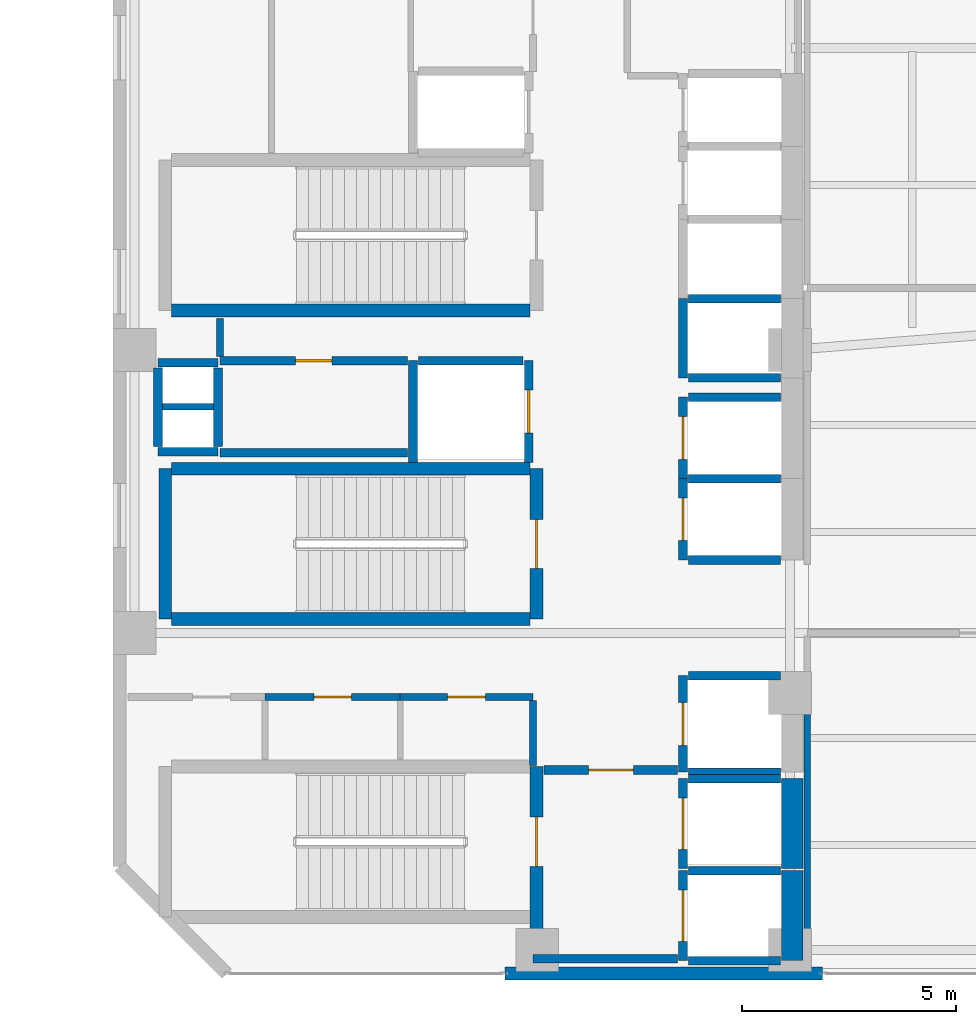
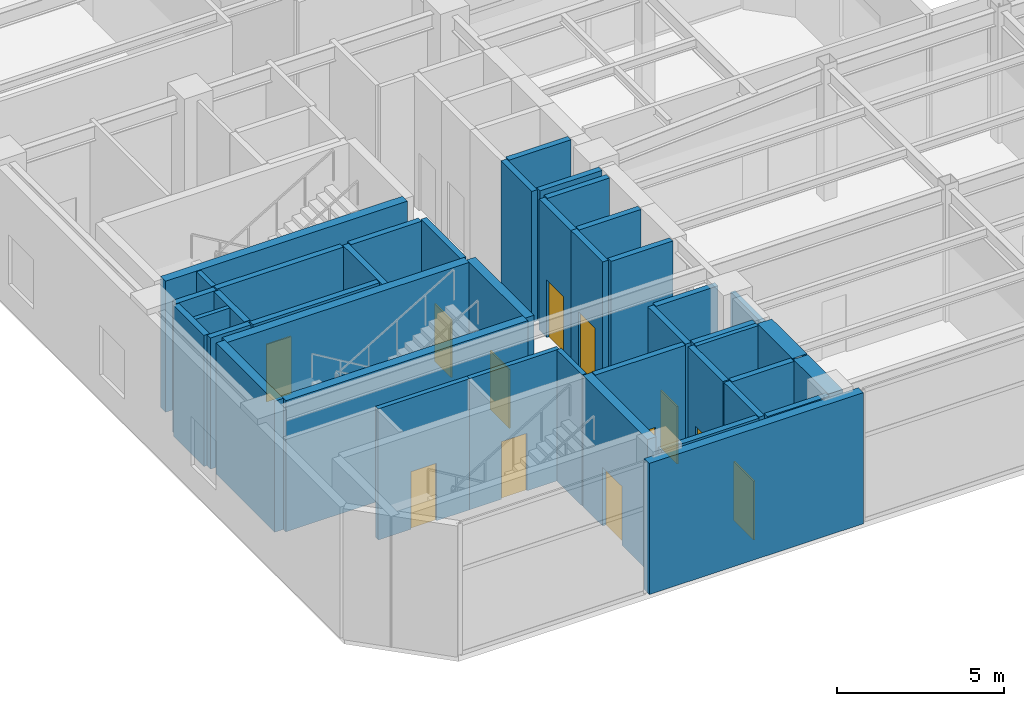
# One storey, part 10 of 16: 42 walls, 12 doors, 12 openings.
"""IFC4 building model written with IfcOpenShell, lengths in metres."""

from ifc_helpers import new_model, si_unit, direction, frame, frame_2d, origin, place, context, subcontext, project, spatial, rectangle, extrude, material, layer, layer_set, type_object, element, fill, save


model = new_model("IFC4")

# Units and contexts
model_context = context("Model", 3, precision=1e-05, world=origin(), true_north=direction((0.0, 1.0)))
body_context = subcontext(model_context, "Body", "Model", "MODEL_VIEW")
ifc_project = project(units=[si_unit("LENGTHUNIT", "METRE"), si_unit("AREAUNIT", "SQUARE_METRE"), si_unit("VOLUMEUNIT", "CUBIC_METRE"), si_unit("PLANEANGLEUNIT", "RADIAN"), si_unit("MASSUNIT", "GRAM", prefix="KILO")], contexts=[model_context])

# Site, building, storey
site_placement = place(None, origin())
site = spatial("IfcSite", under=ifc_project, at=site_placement, CompositionType="ELEMENT")
building_placement = place(site_placement, origin())
building = spatial("IfcBuilding", under=site, at=building_placement, Name="Mawjaban Terraces University", CompositionType="ELEMENT")
storey_placement = place(building_placement, frame((0.0, 0.0, 170.800048828125)))
storey = spatial("IfcBuildingStorey", under=building, at=storey_placement, Name="L41", CompositionType="ELEMENT", Elevation=170.800048828125)

# Walls
ifc_material_1 = material(Name="Concrete C60/75", Category="concrete")
ifc_layer_1 = layer(ifc_material_1, 0.5)
ifc_layer_set_1 = layer_set([ifc_layer_1], Name="Concrete C60/75")
wall_type_1 = type_object("IfcWallType", Name="CoreShearWall_500", PredefinedType="SHEAR", material=ifc_layer_set_1)
wall_1_placement = place(storey_placement, frame((37.699951171875, 0.300048828125, 0.0), z_axis=(0.0, 0.0, 1.0), x_axis=(0.0, 1.0, 0.0)))
element("IfcWall", 1, at=wall_1_placement, inside=storey, type_object=wall_type_1, Name="L41 Lift FL-1 Hoistway Wall East", PredefinedType="SHEAR", context=body_context, shape_type="SweptSolid", body=[
    extrude(rectangle(XDim=2.099853515625, YDim=0.5, at=frame_2d((1.0498046875, 0.0))), origin(), (0.0, 0.0, 1.0), 4.7900390625),
])
wall_2_placement = place(storey_placement, frame((37.699951171875, 2.449951171875, 0.0), z_axis=(0.0, 0.0, 1.0), x_axis=(0.0, 1.0, 0.0)))
element("IfcWall", 2, at=wall_2_placement, inside=storey, type_object=wall_type_1, Name="L41 Lift FL-2 Hoistway Wall East", PredefinedType="SHEAR", context=body_context, shape_type="SweptSolid", body=[
    extrude(rectangle(XDim=2.10009765625, YDim=0.5, at=frame_2d((1.050048828125, 0.0))), origin(), (0.0, 0.0, 1.0), 4.7900390625),
])

# Wall, opening, door
ifc_material_2 = material(Name="Fire-rated gypsum board on steel stud", Category="steel")
ifc_layer_2 = layer(ifc_material_2, 0.159912109375)
ifc_layer_set_2 = layer_set([ifc_layer_2], Name="Fire-rated gypsum board on steel stud")
wall_type_2 = type_object("IfcWallType", Name="CorridorPartition_160", PredefinedType="PARTITIONING", material=ifc_layer_set_2)
wall_3_placement = place(storey_placement, frame((25.39990234375, 6.449951171875, 0.0), z_axis=(0.0, 0.0, 1.0), x_axis=(1.0, 0.0, 0.0)))
wall_3 = element("IfcWall", 3, at=wall_3_placement, inside=storey, type_object=wall_type_2, Name="L41 Core Washroom Lobby Partition 4", PredefinedType="PARTITIONING", context=body_context, shape_type="SweptSolid", body=[
    extrude(rectangle(XDim=3.150146484375, YDim=0.159912109375, at=frame_2d((1.5751953125, 0.0))), origin(), (0.0, 0.0, 1.0), 4.7900390625),
])
opening_1_placement = place(wall_3_placement, frame((1.135009765625, 0.0, 0.0)))
opening_1 = element("IfcOpeningElement", 4, at=opening_1_placement, cuts=wall_3, Name="Opening ID-088", PredefinedType="OPENING", context=body_context, shape_type="SweptSolid", body=[
    extrude(rectangle(XDim=0.8798828125, YDim=2.10009765625, at=frame_2d((0.43994140625, 1.050048828125))), frame((0.0, 0.08984375, 0.0), z_axis=(0.0, -1.0, 0.0), x_axis=(1.0, 0.0, 0.0)), (0.0, 0.0, 1.0), 0.179931640625),
])
ifc_material_3 = material(Name="Powder-coated steel frame and solid acoustic timber leaf", Category="steel")
door_type_1 = type_object("IfcDoorType", Name="ToiletDoor_880x2100", OperationType="NOTDEFINED", PredefinedType="DOOR", material=ifc_material_3)
door_1_placement = place(opening_1_placement, origin())
door_1 = element("IfcDoor", 5, at=door_1_placement, inside=storey, type_object=door_type_1, Name="L41 Female Toilet Door", OperationType="SINGLE_SWING_LEFT", OverallHeight=2.10009765625, OverallWidth=0.8798828125, PredefinedType="DOOR", context=body_context, shape_type="SweptSolid", body=[
    extrude(rectangle(XDim=0.8798828125, YDim=2.10009765625, at=frame_2d((0.43994140625, 1.050048828125))), frame((0.0, 0.02490234375, 0.0), z_axis=(0.0, -1.0, 0.0), x_axis=(1.0, 0.0, 0.0)), (0.0, 0.0, 1.0), 0.050048828125),
])
fill(opening_1, door_1)

wall_4_placement = place(storey_placement, frame((28.550048828125, 6.449951171875, 0.0), z_axis=(0.0, 0.0, 1.0), x_axis=(1.0, 0.0, 0.0)))
wall_4 = element("IfcWall", 6, at=wall_4_placement, inside=storey, type_object=wall_type_2, Name="L41 Core Washroom Lobby Partition 6", PredefinedType="PARTITIONING", context=body_context, shape_type="SweptSolid", body=[
    extrude(rectangle(XDim=3.099853515625, YDim=0.159912109375, at=frame_2d((1.5498046875, 0.0))), origin(), (0.0, 0.0, 1.0), 4.7900390625),
])
opening_2_placement = place(wall_4_placement, frame((1.110107421875, 0.0, 0.0)))
opening_2 = element("IfcOpeningElement", 7, at=opening_2_placement, cuts=wall_4, Name="Opening ID-088", PredefinedType="OPENING", context=body_context, shape_type="SweptSolid", body=[
    extrude(rectangle(XDim=0.8798828125, YDim=2.10009765625, at=frame_2d((0.43994140625, 1.050048828125))), frame((0.0, 0.08984375, 0.0), z_axis=(0.0, -1.0, 0.0), x_axis=(1.0, 0.0, 0.0)), (0.0, 0.0, 1.0), 0.179931640625),
])
door_2_placement = place(opening_2_placement, origin())
door_2 = element("IfcDoor", 8, at=door_2_placement, inside=storey, type_object=door_type_1, Name="L41 Accessible Toilet Door", OperationType="SINGLE_SWING_RIGHT", OverallHeight=2.10009765625, OverallWidth=0.8798828125, PredefinedType="DOOR", context=body_context, shape_type="SweptSolid", body=[
    extrude(rectangle(XDim=0.8798828125, YDim=2.10009765625, at=frame_2d((0.43994140625, 1.050048828125))), frame((0.0, 0.02490234375, 0.0), z_axis=(0.0, -1.0, 0.0), x_axis=(1.0, 0.0, 0.0)), (0.0, 0.0, 1.0), 0.050048828125),
])
fill(opening_2, door_2)

# Walls
wall_5_placement = place(storey_placement, frame((24.35009765625, 15.2900390625, 0.0), z_axis=(0.0, 0.0, 1.0), x_axis=(0.0, -1.0, 0.0)))
element("IfcWall", 9, at=wall_5_placement, inside=storey, type_object=wall_type_2, Name="L41 Core Riser Access Passage Partition 19", PredefinedType="PARTITIONING", context=body_context, shape_type="SweptSolid", body=[
    extrude(rectangle(XDim=0.89501953125, YDim=0.159912109375, at=frame_2d((0.447509765625, 0.0))), origin(), (0.0, 0.0, 1.0), 4.7900390625),
])
wall_6_placement = place(storey_placement, frame((31.64990234375, 4.860107421875, 0.0), z_axis=(0.0, 0.0, 1.0), x_axis=(0.0, 1.0, 0.0)))
element("IfcWall", 10, at=wall_6_placement, inside=storey, type_object=wall_type_2, Name="L41 Accessible Toilet Partition 24", PredefinedType="PARTITIONING", context=body_context, shape_type="SweptSolid", body=[
    extrude(rectangle(XDim=1.514892578125, YDim=0.159912109375, at=frame_2d((0.75732421875, 0.0))), origin(), (0.0, 0.0, 1.0), 4.7900390625),
])
wall_7_placement = place(storey_placement, frame((38.050048828125, 7.050048828125, 0.0), z_axis=(0.0, 0.0, 1.0), x_axis=(0.0, -1.0, 0.0)))
element("IfcWall", 11, at=wall_7_placement, inside=storey, type_object=wall_type_2, Name="L41 Sky Lobby Espresso and Tea Pantry Partition 32", PredefinedType="PARTITIONING", context=body_context, shape_type="SweptSolid", body=[
    extrude(rectangle(XDim=6.905029296875, YDim=0.159912109375, at=frame_2d((3.45263671875, 0.0))), origin(), (0.0, 0.0, 1.0), 4.245849609375),
])
ifc_material_4 = material(Name="Insulated terracotta rainscreen on concrete backup C40/50", Category="masonry")
ifc_layer_3 = layer(ifc_material_4, 0.300048828125)
ifc_layer_set_3 = layer_set([ifc_layer_3], Name="Insulated terracotta rainscreen on concrete backup C40/50")
wall_type_3 = type_object("IfcWallType", Name="ExtTerracottaWall_300", PredefinedType="SOLIDWALL", material=ifc_layer_set_3)
wall_8_placement = place(storey_placement, frame((31.0, 0.0, 0.0), z_axis=(0.0, 0.0, 1.0), x_axis=(1.0, 0.0, 0.0)))
element("IfcWall", 12, at=wall_8_placement, inside=storey, type_object=wall_type_3, Name="L41 Exterior Terracotta Pier Wall 1.1", PredefinedType="SOLIDWALL", context=body_context, shape_type="SweptSolid", body=[
    extrude(rectangle(XDim=7.39990234375, YDim=0.300048828125, at=frame_2d((3.699951171875, 0.0))), origin(), (0.0, 0.0, 1.0), 4.7900390625),
])

# Wall, opening, door
ifc_material_5 = material(Name="Concrete C40/50", Category="concrete")
ifc_layer_4 = layer(ifc_material_5, 0.199951171875)
ifc_layer_set_4 = layer_set([ifc_layer_4], Name="Concrete C40/50")
wall_type_4 = type_object("IfcWallType", Name="FireLobbyWall_200", PredefinedType="SOLIDWALL", material=ifc_layer_set_4)
wall_9_placement = place(storey_placement, frame((35.14990234375, 2.39990234375, 0.0), z_axis=(0.0, 0.0, 1.0), x_axis=(0.0, -1.0, 0.0)))
wall_9 = element("IfcWall", 13, at=wall_9_placement, inside=storey, type_object=wall_type_4, Name="L41 Lift FL-1 Hoistway Wall West", PredefinedType="SOLIDWALL", context=body_context, shape_type="SweptSolid", body=[
    extrude(rectangle(XDim=2.099853515625, YDim=0.199951171875, at=frame_2d((1.0498046875, 0.0))), origin(), (0.0, 0.0, 1.0), 4.7900390625),
])
opening_3_placement = place(wall_9_placement, frame((0.449951171875, 0.0, 0.0)))
opening_3 = element("IfcOpeningElement", 14, at=opening_3_placement, cuts=wall_9, Name="Opening LD-FL-1", PredefinedType="OPENING", context=body_context, shape_type="SweptSolid", body=[
    extrude(rectangle(XDim=1.199951171875, YDim=2.14990234375, at=frame_2d((0.60009765625, 1.074951171875))), frame((0.0, 0.10986328125, 0.0), z_axis=(0.0, -1.0, 0.0), x_axis=(1.0, 0.0, 0.0)), (0.0, 0.0, 1.0), 0.219970703125),
])
ifc_material_6 = material(Name="Powder-coated steel frame and fire-rated steel-faced leaf", Category="steel")
door_type_2 = type_object("IfcDoorType", Name="LiftLandingFSAE_1200x2150", OperationType="NOTDEFINED", PredefinedType="DOOR", material=ifc_material_6)
door_3_placement = place(opening_3_placement, origin())
door_3 = element("IfcDoor", 15, at=door_3_placement, inside=storey, type_object=door_type_2, Name="L41 Lift FL-1 Sliding Landing Door", OperationType="DOUBLE_DOOR_SLIDING", OverallHeight=2.14990234375, OverallWidth=1.199951171875, PredefinedType="DOOR", context=body_context, shape_type="SweptSolid", body=[
    extrude(rectangle(XDim=1.199951171875, YDim=2.14990234375, at=frame_2d((0.60009765625, 1.074951171875))), frame((0.0, 0.02490234375, 0.0), z_axis=(0.0, -1.0, 0.0), x_axis=(1.0, 0.0, 0.0)), (0.0, 0.0, 1.0), 0.050048828125),
])
fill(opening_3, door_3)

# Walls
for number, where, z_axis, x_axis, name in (
    (16, (35.280029296875, 0.300048828125, 0.0), (0.0, 0.0, 1.0), (1.0, 0.0, 0.0), "L41 Lift FL-1 Hoistway Wall South"),
    (17, (37.419921875, 2.39990234375, 0.0), (0.0, 0.0, 1.0), (-1.0, 0.0, 0.0), "L41 Lift FL-1 Hoistway Wall North"),
):
    element("IfcWall", number, at=place(storey_placement, frame(where, z_axis=z_axis, x_axis=x_axis)), inside=storey, type_object=wall_type_4, Name=name, PredefinedType="SOLIDWALL", context=body_context, shape_type="SweptSolid", body=[
        extrude(rectangle(XDim=2.139892578125, YDim=0.199951171875, at=frame_2d((1.06982421875, 0.0))), origin(), (0.0, 0.0, 1.0), 4.7900390625),
    ])

# Wall, opening, door
wall_10_placement = place(storey_placement, frame((35.14990234375, 4.550048828125, 0.0), z_axis=(0.0, 0.0, 1.0), x_axis=(0.0, -1.0, 0.0)))
wall_10 = element("IfcWall", 18, at=wall_10_placement, inside=storey, type_object=wall_type_4, Name="L41 Lift FL-2 Hoistway Wall West", PredefinedType="SOLIDWALL", context=body_context, shape_type="SweptSolid", body=[
    extrude(rectangle(XDim=2.10009765625, YDim=0.199951171875, at=frame_2d((1.050048828125, 0.0))), origin(), (0.0, 0.0, 1.0), 4.7900390625),
])
opening_4_placement = place(wall_10_placement, frame((0.449951171875, 0.0, 0.0)))
opening_4 = element("IfcOpeningElement", 19, at=opening_4_placement, cuts=wall_10, Name="Opening LD-FL-2", PredefinedType="OPENING", context=body_context, shape_type="SweptSolid", body=[
    extrude(rectangle(XDim=1.199951171875, YDim=2.14990234375, at=frame_2d((0.60009765625, 1.074951171875))), frame((0.0, 0.10986328125, 0.0), z_axis=(0.0, -1.0, 0.0), x_axis=(1.0, 0.0, 0.0)), (0.0, 0.0, 1.0), 0.219970703125),
])
door_4_placement = place(opening_4_placement, origin())
door_4 = element("IfcDoor", 20, at=door_4_placement, inside=storey, type_object=door_type_2, Name="L41 Lift FL-2 Sliding Landing Door", OperationType="DOUBLE_DOOR_SLIDING", OverallHeight=2.14990234375, OverallWidth=1.199951171875, PredefinedType="DOOR", context=body_context, shape_type="SweptSolid", body=[
    extrude(rectangle(XDim=1.199951171875, YDim=2.14990234375, at=frame_2d((0.60009765625, 1.074951171875))), frame((0.0, 0.02490234375, 0.0), z_axis=(0.0, -1.0, 0.0), x_axis=(1.0, 0.0, 0.0)), (0.0, 0.0, 1.0), 0.050048828125),
])
fill(opening_4, door_4)

# Wall
wall_11_placement = place(storey_placement, frame((37.419921875, 4.550048828125, 0.0), z_axis=(0.0, 0.0, 1.0), x_axis=(-1.0, 0.0, 0.0)))
element("IfcWall", 21, at=wall_11_placement, inside=storey, type_object=wall_type_4, Name="L41 Lift FL-2 Hoistway Wall North", PredefinedType="SOLIDWALL", context=body_context, shape_type="SweptSolid", body=[
    extrude(rectangle(XDim=2.139892578125, YDim=0.199951171875, at=frame_2d((1.06982421875, 0.0))), origin(), (0.0, 0.0, 1.0), 4.7900390625),
])

# Wall, opening, door
wall_12_placement = place(storey_placement, frame((35.14990234375, 6.949951171875, 0.0), z_axis=(0.0, 0.0, 1.0), x_axis=(0.0, -1.0, 0.0)))
wall_12 = element("IfcWall", 22, at=wall_12_placement, inside=storey, type_object=wall_type_4, Name="L41 Lift SL-1 Hoistway Wall West", PredefinedType="SOLIDWALL", context=body_context, shape_type="SweptSolid", body=[
    extrude(rectangle(XDim=2.25, YDim=0.199951171875, at=frame_2d((1.125, 0.0))), origin(), (0.0, 0.0, 1.0), 4.7900390625),
])
opening_5_placement = place(wall_12_placement, frame((0.625, 0.0, 0.0)))
opening_5 = element("IfcOpeningElement", 23, at=opening_5_placement, cuts=wall_12, Name="Opening LD-SL-1", PredefinedType="OPENING", context=body_context, shape_type="SweptSolid", body=[
    extrude(rectangle(XDim=1.0, YDim=2.10009765625, at=frame_2d((0.5, 1.050048828125))), frame((0.0, 0.10986328125, 0.0), z_axis=(0.0, -1.0, 0.0), x_axis=(1.0, 0.0, 0.0)), (0.0, 0.0, 1.0), 0.219970703125),
])
door_type_3 = type_object("IfcDoorType", Name="LiftLandingSliding_1000x2100", OperationType="NOTDEFINED", PredefinedType="DOOR", material=ifc_material_6)
door_5_placement = place(opening_5_placement, origin())
door_5 = element("IfcDoor", 24, at=door_5_placement, inside=storey, type_object=door_type_3, Name="L41 Lift SL-1 Sliding Landing Door", OperationType="DOUBLE_DOOR_SLIDING", OverallHeight=2.10009765625, OverallWidth=1.0, PredefinedType="DOOR", context=body_context, shape_type="SweptSolid", body=[
    extrude(rectangle(XDim=1.0, YDim=2.10009765625, at=frame_2d((0.5, 1.050048828125))), frame((0.0, 0.02490234375, 0.0), z_axis=(0.0, -1.0, 0.0), x_axis=(1.0, 0.0, 0.0)), (0.0, 0.0, 1.0), 0.050048828125),
])
fill(opening_5, door_5)

# Walls
for number, where, z_axis, x_axis, name in (
    (25, (35.280029296875, 4.699951171875, 0.0), (0.0, 0.0, 1.0), (1.0, 0.0, 0.0), "L41 Lift SL-1 Hoistway Wall South"),
    (26, (37.419921875, 6.949951171875, 0.0), (0.0, 0.0, 1.0), (-1.0, 0.0, 0.0), "L41 Lift SL-1 Hoistway Wall North"),
):
    element("IfcWall", number, at=place(storey_placement, frame(where, z_axis=z_axis, x_axis=x_axis)), inside=storey, type_object=wall_type_4, Name=name, PredefinedType="SOLIDWALL", context=body_context, shape_type="SweptSolid", body=[
        extrude(rectangle(XDim=2.139892578125, YDim=0.199951171875, at=frame_2d((1.06982421875, 0.0))), origin(), (0.0, 0.0, 1.0), 4.7900390625),
    ])

# Wall, opening, door
wall_13_placement = place(storey_placement, frame((35.14990234375, 11.550048828125, 0.0), z_axis=(0.0, 0.0, 1.0), x_axis=(0.0, -1.0, 0.0)))
wall_13 = element("IfcWall", 27, at=wall_13_placement, inside=storey, type_object=wall_type_4, Name="L41 Lift PL-H1 Hoistway Wall West", PredefinedType="SOLIDWALL", context=body_context, shape_type="SweptSolid", body=[
    extrude(rectangle(XDim=1.900146484375, YDim=0.199951171875, at=frame_2d((0.9501953125, 0.0))), origin(), (0.0, 0.0, 1.0), 4.7900390625),
])
opening_6_placement = place(wall_13_placement, frame((0.449951171875, 0.0, 0.0)))
opening_6 = element("IfcOpeningElement", 28, at=opening_6_placement, cuts=wall_13, Name="Opening LD-PL-H1", PredefinedType="OPENING", context=body_context, shape_type="SweptSolid", body=[
    extrude(rectangle(XDim=1.0, YDim=2.10009765625, at=frame_2d((0.5, 1.050048828125))), frame((0.0, 0.10986328125, 0.0), z_axis=(0.0, -1.0, 0.0), x_axis=(1.0, 0.0, 0.0)), (0.0, 0.0, 1.0), 0.219970703125),
])
door_6_placement = place(opening_6_placement, origin())
door_6 = element("IfcDoor", 29, at=door_6_placement, inside=storey, type_object=door_type_3, Name="L41 Lift PL-H1 Sliding Landing Door", OperationType="DOUBLE_DOOR_SLIDING", OverallHeight=2.10009765625, OverallWidth=1.0, PredefinedType="DOOR", context=body_context, shape_type="SweptSolid", body=[
    extrude(rectangle(XDim=1.0, YDim=2.10009765625, at=frame_2d((0.5, 1.050048828125))), frame((0.0, 0.02490234375, 0.0), z_axis=(0.0, -1.0, 0.0), x_axis=(1.0, 0.0, 0.0)), (0.0, 0.0, 1.0), 0.050048828125),
])
fill(opening_6, door_6)

# Walls
for number, where, z_axis, x_axis, name in (
    (30, (35.280029296875, 9.64990234375, 0.0), (0.0, 0.0, 1.0), (1.0, 0.0, 0.0), "L41 Lift PL-H1 Hoistway Wall South"),
    (31, (37.419921875, 11.550048828125, 0.0), (0.0, 0.0, 1.0), (-1.0, 0.0, 0.0), "L41 Lift PL-H1 Hoistway Wall North"),
):
    element("IfcWall", number, at=place(storey_placement, frame(where, z_axis=z_axis, x_axis=x_axis)), inside=storey, type_object=wall_type_4, Name=name, PredefinedType="SOLIDWALL", context=body_context, shape_type="SweptSolid", body=[
        extrude(rectangle(XDim=2.139892578125, YDim=0.199951171875, at=frame_2d((1.06982421875, 0.0))), origin(), (0.0, 0.0, 1.0), 4.7900390625),
    ])

# Wall, opening, door
wall_14_placement = place(storey_placement, frame((35.14990234375, 13.449951171875, 0.0), z_axis=(0.0, 0.0, 1.0), x_axis=(0.0, -1.0, 0.0)))
wall_14 = element("IfcWall", 32, at=wall_14_placement, inside=storey, type_object=wall_type_4, Name="L41 Lift PL-H2 Hoistway Wall West", PredefinedType="SOLIDWALL", context=body_context, shape_type="SweptSolid", body=[
    extrude(rectangle(XDim=1.89990234375, YDim=0.199951171875, at=frame_2d((0.949951171875, 0.0))), origin(), (0.0, 0.0, 1.0), 4.7900390625),
])
opening_7_placement = place(wall_14_placement, frame((0.449951171875, 0.0, 0.0)))
opening_7 = element("IfcOpeningElement", 33, at=opening_7_placement, cuts=wall_14, Name="Opening LD-PL-H2", PredefinedType="OPENING", context=body_context, shape_type="SweptSolid", body=[
    extrude(rectangle(XDim=1.0, YDim=2.10009765625, at=frame_2d((0.5, 1.050048828125))), frame((0.0, 0.10986328125, 0.0), z_axis=(0.0, -1.0, 0.0), x_axis=(1.0, 0.0, 0.0)), (0.0, 0.0, 1.0), 0.219970703125),
])
door_7_placement = place(opening_7_placement, origin())
door_7 = element("IfcDoor", 34, at=door_7_placement, inside=storey, type_object=door_type_3, Name="L41 Lift PL-H2 Sliding Landing Door", OperationType="DOUBLE_DOOR_SLIDING", OverallHeight=2.10009765625, OverallWidth=1.0, PredefinedType="DOOR", context=body_context, shape_type="SweptSolid", body=[
    extrude(rectangle(XDim=1.0, YDim=2.10009765625, at=frame_2d((0.5, 1.050048828125))), frame((0.0, 0.02490234375, 0.0), z_axis=(0.0, -1.0, 0.0), x_axis=(1.0, 0.0, 0.0)), (0.0, 0.0, 1.0), 0.050048828125),
])
fill(opening_7, door_7)

# Walls
wall_15_placement = place(storey_placement, frame((37.419921875, 13.449951171875, 0.0), z_axis=(0.0, 0.0, 1.0), x_axis=(-1.0, 0.0, 0.0)))
element("IfcWall", 35, at=wall_15_placement, inside=storey, type_object=wall_type_4, Name="L41 Lift PL-H2 Hoistway Wall North", PredefinedType="SOLIDWALL", context=body_context, shape_type="SweptSolid", body=[
    extrude(rectangle(XDim=2.139892578125, YDim=0.199951171875, at=frame_2d((1.06982421875, 0.0))), origin(), (0.0, 0.0, 1.0), 4.7900390625),
])
wall_16_placement = place(storey_placement, frame((28.85009765625, 14.300048828125, 0.0), z_axis=(0.0, 0.0, 1.0), x_axis=(0.0, -1.0, 0.0)))
element("IfcWall", 36, at=wall_16_placement, inside=storey, type_object=wall_type_4, Name="L41 Lift PL-H3 Hoistway Wall West", PredefinedType="SOLIDWALL", context=body_context, shape_type="SweptSolid", body=[
    extrude(rectangle(XDim=2.3701171875, YDim=0.199951171875, at=frame_2d((1.18505859375, 0.0))), origin(), (0.0, 0.0, 1.0), 4.7900390625),
])

# Wall, opening, door
wall_17_placement = place(storey_placement, frame((31.550048828125, 11.929931640625, 0.0), z_axis=(0.0, 0.0, 1.0), x_axis=(0.0, 1.0, 0.0)))
wall_17 = element("IfcWall", 37, at=wall_17_placement, inside=storey, type_object=wall_type_4, Name="L41 Lift PL-H3 Hoistway Wall East", PredefinedType="SOLIDWALL", context=body_context, shape_type="SweptSolid", body=[
    extrude(rectangle(XDim=2.3701171875, YDim=0.199951171875, at=frame_2d((1.18505859375, 0.0))), origin(), (0.0, 0.0, 1.0), 4.7900390625),
])
opening_8_placement = place(wall_17_placement, frame((0.68505859375, 0.0, 0.0)))
opening_8 = element("IfcOpeningElement", 38, at=opening_8_placement, cuts=wall_17, Name="Opening LD-PL-H3", PredefinedType="OPENING", context=body_context, shape_type="SweptSolid", body=[
    extrude(rectangle(XDim=1.0, YDim=2.10009765625, at=frame_2d((0.5, 1.050048828125))), frame((0.0, 0.10986328125, 0.0), z_axis=(0.0, -1.0, 0.0), x_axis=(1.0, 0.0, 0.0)), (0.0, 0.0, 1.0), 0.219970703125),
])
door_8_placement = place(opening_8_placement, origin())
door_8 = element("IfcDoor", 39, at=door_8_placement, inside=storey, type_object=door_type_3, Name="L41 Lift PL-H3 Sliding Landing Door", OperationType="DOUBLE_DOOR_SLIDING", OverallHeight=2.10009765625, OverallWidth=1.0, PredefinedType="DOOR", context=body_context, shape_type="SweptSolid", body=[
    extrude(rectangle(XDim=1.0, YDim=2.10009765625, at=frame_2d((0.5, 1.050048828125))), frame((0.0, 0.02490234375, 0.0), z_axis=(0.0, -1.0, 0.0), x_axis=(1.0, 0.0, 0.0)), (0.0, 0.0, 1.0), 0.050048828125),
])
fill(opening_8, door_8)

# Walls
wall_18_placement = place(storey_placement, frame((31.419921875, 14.300048828125, 0.0), z_axis=(0.0, 0.0, 1.0), x_axis=(-1.0, 0.0, 0.0)))
element("IfcWall", 40, at=wall_18_placement, inside=storey, type_object=wall_type_4, Name="L41 Lift PL-H3 Hoistway Wall North", PredefinedType="SOLIDWALL", context=body_context, shape_type="SweptSolid", body=[
    extrude(rectangle(XDim=2.43994140625, YDim=0.199951171875, at=frame_2d((1.219970703125, 0.0))), origin(), (0.0, 0.0, 1.0), 4.7900390625),
])
wall_19_placement = place(storey_placement, frame((35.14990234375, 15.75, 0.0), z_axis=(0.0, 0.0, 1.0), x_axis=(0.0, -1.0, 0.0)))
element("IfcWall", 41, at=wall_19_placement, inside=storey, type_object=wall_type_4, Name="L41 Lift OL-1 Hoistway Wall West", PredefinedType="SOLIDWALL", context=body_context, shape_type="SweptSolid", body=[
    extrude(rectangle(XDim=1.85009765625, YDim=0.199951171875, at=frame_2d((0.925048828125, 0.0))), origin(), (0.0, 0.0, 1.0), 4.7900390625),
])
for number, where, z_axis, x_axis, name in (
    (42, (35.280029296875, 13.89990234375, 0.0), (0.0, 0.0, 1.0), (1.0, 0.0, 0.0), "L41 Lift OL-1 Hoistway Wall South"),
    (43, (37.419921875, 15.75, 0.0), (0.0, 0.0, 1.0), (-1.0, 0.0, 0.0), "L41 Lift OL-1 Hoistway Wall North"),
):
    element("IfcWall", number, at=place(storey_placement, frame(where, z_axis=z_axis, x_axis=x_axis)), inside=storey, type_object=wall_type_4, Name=name, PredefinedType="SOLIDWALL", context=body_context, shape_type="SweptSolid", body=[
        extrude(rectangle(XDim=2.139892578125, YDim=0.199951171875, at=frame_2d((1.06982421875, 0.0))), origin(), (0.0, 0.0, 1.0), 4.7900390625),
    ])
for number, where, z_axis, x_axis, name in (
    (44, (22.89990234375, 14.25, 0.0), (0.0, 0.0, 1.0), (1.0, 0.0, 0.0), "L41 MEP Riser Shaft Wall N"),
    (45, (22.89990234375, 12.179931640625, 0.0), (0.0, 0.0, 1.0), (1.0, 0.0, 0.0), "L41 MEP Riser Shaft Wall S"),
):
    element("IfcWall", number, at=place(storey_placement, frame(where, z_axis=z_axis, x_axis=x_axis)), inside=storey, type_object=wall_type_4, Name=name, PredefinedType="SOLIDWALL", context=body_context, shape_type="SweptSolid", body=[
        extrude(rectangle(XDim=1.400146484375, YDim=0.199951171875, at=frame_2d((0.7001953125, 0.0))), origin(), (0.0, 0.0, 1.0), 4.7900390625),
    ])
for number, where, z_axis, x_axis, name in (
    (46, (24.300048828125, 12.300048828125, 0.0), (0.0, 0.0, 1.0), (0.0, 1.0, 0.0), "L41 MEP Riser Shaft Wall E"),
    (47, (22.89990234375, 12.300048828125, 0.0), (0.0, 0.0, 1.0), (0.0, 1.0, 0.0), "L41 MEP Riser Shaft Wall W"),
):
    element("IfcWall", number, at=place(storey_placement, frame(where, z_axis=z_axis, x_axis=x_axis)), inside=storey, type_object=wall_type_4, Name=name, PredefinedType="SOLIDWALL", context=body_context, shape_type="SweptSolid", body=[
        extrude(rectangle(XDim=1.829833984375, YDim=0.199951171875, at=frame_2d((0.9150390625, 0.0))), origin(), (0.0, 0.0, 1.0), 4.7900390625),
    ])
wall_20_placement = place(storey_placement, frame((24.35009765625, 12.14990234375, 0.0), z_axis=(0.0, 0.0, 1.0), x_axis=(1.0, 0.0, 0.0)))
element("IfcWall", 48, at=wall_20_placement, inside=storey, type_object=wall_type_4, Name="L41 IT and Telecoms Riser Room Partition 2", PredefinedType="SOLIDWALL", context=body_context, shape_type="SweptSolid", body=[
    extrude(rectangle(XDim=4.369873046875, YDim=0.199951171875, at=frame_2d((2.18505859375, 0.0))), origin(), (0.0, 0.0, 1.0), 4.7900390625),
])

# Wall, opening, door
wall_21_placement = place(storey_placement, frame((24.35009765625, 14.300048828125, 0.0), z_axis=(0.0, 0.0, 1.0), x_axis=(1.0, 0.0, 0.0)))
wall_21 = element("IfcWall", 49, at=wall_21_placement, inside=storey, type_object=wall_type_4, Name="L41 Core Riser Access Passage Partition 3", PredefinedType="SOLIDWALL", context=body_context, shape_type="SweptSolid", body=[
    extrude(rectangle(XDim=4.369873046875, YDim=0.199951171875, at=frame_2d((2.18505859375, 0.0))), origin(), (0.0, 0.0, 1.0), 4.7900390625),
])
opening_9_placement = place(wall_21_placement, frame((1.760009765625, 0.0, 0.0)))
opening_9 = element("IfcOpeningElement", 50, at=opening_9_placement, cuts=wall_21, Name="Opening FD-085", PredefinedType="OPENING", context=body_context, shape_type="SweptSolid", body=[
    extrude(rectangle(XDim=0.85009765625, YDim=2.10009765625, at=frame_2d((0.425048828125, 1.050048828125))), frame((0.0, 0.10986328125, 0.0), z_axis=(0.0, -1.0, 0.0), x_axis=(1.0, 0.0, 0.0)), (0.0, 0.0, 1.0), 0.219970703125),
])
door_type_4 = type_object("IfcDoorType", Name="FireRiserDoor_850x2100", OperationType="NOTDEFINED", PredefinedType="DOOR", material=ifc_material_6)
door_9_placement = place(opening_9_placement, origin())
door_9 = element("IfcDoor", 51, at=door_9_placement, inside=storey, type_object=door_type_4, Name="L41 IT and Telecoms Riser Room Door", OperationType="SINGLE_SWING_LEFT", OverallHeight=2.10009765625, OverallWidth=0.85009765625, PredefinedType="DOOR", context=body_context, shape_type="SweptSolid", body=[
    extrude(rectangle(XDim=0.85009765625, YDim=2.10009765625, at=frame_2d((0.425048828125, 1.050048828125))), frame((0.0, 0.02490234375, 0.0), z_axis=(0.0, -1.0, 0.0), x_axis=(1.0, 0.0, 0.0)), (0.0, 0.0, 1.0), 0.050048828125),
])
fill(opening_9, door_9)

# Wall
wall_22_placement = place(storey_placement, frame((31.64990234375, 0.35009765625, 0.0), z_axis=(0.0, 0.0, 1.0), x_axis=(1.0, 0.0, 0.0)))
element("IfcWall", 52, at=wall_22_placement, inside=storey, type_object=wall_type_4, Name="L41 Firefighting Lift Lobby Partition 8", PredefinedType="SOLIDWALL", context=body_context, shape_type="SweptSolid", body=[
    extrude(rectangle(XDim=3.3701171875, YDim=0.199951171875, at=frame_2d((1.68505859375, 0.0))), origin(), (0.0, 0.0, 1.0), 4.7900390625),
])

# Wall, opening, door
wall_23_placement = place(storey_placement, frame((35.02001953125, 4.75, 0.0), z_axis=(0.0, 0.0, 1.0), x_axis=(-1.0, 0.0, 0.0)))
wall_23 = element("IfcWall", 53, at=wall_23_placement, inside=storey, type_object=wall_type_4, Name="L41 Firefighting Lift Lobby Partition 11", PredefinedType="SOLIDWALL", context=body_context, shape_type="SweptSolid", body=[
    extrude(rectangle(XDim=3.110107421875, YDim=0.199951171875, at=frame_2d((1.55517578125, 0.0))), origin(), (0.0, 0.0, 1.0), 4.7900390625),
])
opening_10_placement = place(wall_23_placement, frame((1.030029296875, 0.0, 0.0)))
opening_10 = element("IfcOpeningElement", 54, at=opening_10_placement, cuts=wall_23, Name="Opening FD-105", PredefinedType="OPENING", context=body_context, shape_type="SweptSolid", body=[
    extrude(rectangle(XDim=1.050048828125, YDim=2.14990234375, at=frame_2d((0.52490234375, 1.074951171875))), frame((0.0, 0.10986328125, 0.0), z_axis=(0.0, -1.0, 0.0), x_axis=(1.0, 0.0, 0.0)), (0.0, 0.0, 1.0), 0.219970703125),
])
door_type_5 = type_object("IfcDoorType", Name="FireLobbyDoor_1050x2150", OperationType="NOTDEFINED", PredefinedType="DOOR", material=ifc_material_6)
door_10_placement = place(opening_10_placement, origin())
door_10 = element("IfcDoor", 55, at=door_10_placement, inside=storey, type_object=door_type_5, Name="L41 Firefighting Lift Lobby Door", OperationType="SINGLE_SWING_LEFT", OverallHeight=2.14990234375, OverallWidth=1.050048828125, PredefinedType="DOOR", context=body_context, shape_type="SweptSolid", body=[
    extrude(rectangle(XDim=1.050048828125, YDim=2.14990234375, at=frame_2d((0.52490234375, 1.074951171875))), frame((0.0, 0.02490234375, 0.0), z_axis=(0.0, -1.0, 0.0), x_axis=(1.0, 0.0, 0.0)), (0.0, 0.0, 1.0), 0.050048828125),
])
fill(opening_10, door_10)

# Wall
ifc_material_7 = material(Name="Moisture-resistant gypsum board on steel stud", Category="steel")
ifc_layer_5 = layer(ifc_material_7, 0.14501953125)
ifc_layer_set_5 = layer_set([ifc_layer_5], Name="Moisture-resistant gypsum board on steel stud")
wall_type_5 = type_object("IfcWallType", Name="LabPartition_145", PredefinedType="PARTITIONING", material=ifc_layer_set_5)
wall_24_placement = place(storey_placement, frame((23.010009765625, 13.22509765625, 0.0), z_axis=(0.0, 0.0, 1.0), x_axis=(1.0, 0.0, 0.0)))
element("IfcWall", 56, at=wall_24_placement, inside=storey, type_object=wall_type_5, Name="L41 MEP Riser Shaft Wall M", PredefinedType="PARTITIONING", context=body_context, shape_type="SweptSolid", body=[
    extrude(rectangle(XDim=1.179931640625, YDim=0.14501953125, at=frame_2d((0.58984375, 0.0))), origin(), (0.0, 0.0, 1.0), 4.7900390625),
])

# Wall, opening, door
ifc_layer_6 = layer(ifc_material_1, 0.300048828125)
ifc_layer_set_6 = layer_set([ifc_layer_6], Name="Concrete C60/75")
wall_type_6 = type_object("IfcWallType", Name="StairShaftWall_300", PredefinedType="SHEAR", material=ifc_layer_set_6)
wall_25_placement = place(storey_placement, frame((31.72998046875, 0.9599609375, 0.0), z_axis=(0.0, 0.0, 1.0), x_axis=(0.0, 1.0, 0.0)))
wall_25 = element("IfcWall", 57, at=wall_25_placement, inside=storey, type_object=wall_type_6, Name="L41 ST-1 Stair Shaft Wall 4", PredefinedType="SHEAR", context=body_context, shape_type="SweptSolid", body=[
    extrude(rectangle(XDim=3.8701171875, YDim=0.300048828125, at=frame_2d((1.93505859375, 0.0))), origin(), (0.0, 0.0, 1.0), 4.7900390625),
])
opening_11_placement = place(wall_25_placement, frame((1.5400390625, 0.0, 0.0)))
opening_11 = element("IfcOpeningElement", 58, at=opening_11_placement, cuts=wall_25, Name="Opening FD-115", PredefinedType="OPENING", context=body_context, shape_type="SweptSolid", body=[
    extrude(rectangle(XDim=1.14990234375, YDim=2.14990234375, at=frame_2d((0.574951171875, 1.074951171875))), frame((0.0, 0.159912109375, 0.0), z_axis=(0.0, -1.0, 0.0), x_axis=(1.0, 0.0, 0.0)), (0.0, 0.0, 1.0), 0.320068359375),
])
door_type_6 = type_object("IfcDoorType", Name="FireStairDoor_1150x2150", OperationType="NOTDEFINED", PredefinedType="DOOR", material=ifc_material_6)
door_11_placement = place(opening_11_placement, origin())
door_11 = element("IfcDoor", 59, at=door_11_placement, inside=storey, type_object=door_type_6, Name="L41 ST-1 Pressurised Stair Fire Door", OperationType="SINGLE_SWING_RIGHT", OverallHeight=2.14990234375, OverallWidth=1.14990234375, PredefinedType="DOOR", context=body_context, shape_type="SweptSolid", body=[
    extrude(rectangle(XDim=1.14990234375, YDim=2.14990234375, at=frame_2d((0.574951171875, 1.074951171875))), frame((0.0, 0.02490234375, 0.0), z_axis=(0.0, -1.0, 0.0), x_axis=(1.0, 0.0, 0.0)), (0.0, 0.0, 1.0), 0.050048828125),
])
fill(opening_11, door_11)

# Walls
for number, where, z_axis, x_axis, name in (
    (60, (23.219970703125, 15.469970703125, 0.0), (0.0, 0.0, 1.0), (1.0, 0.0, 0.0), "L41 ST-2 Stair Shaft Wall 3"),
    (61, (31.580078125, 11.780029296875, 0.0), (0.0, 0.0, 1.0), (-1.0, 0.0, 0.0), "L41 ST-3 Stair Shaft Wall 1"),
):
    element("IfcWall", number, at=place(storey_placement, frame(where, z_axis=z_axis, x_axis=x_axis)), inside=storey, type_object=wall_type_6, Name=name, PredefinedType="SHEAR", context=body_context, shape_type="SweptSolid", body=[
        extrude(rectangle(XDim=8.360107421875, YDim=0.300048828125, at=frame_2d((4.18017578125, 0.0))), origin(), (0.0, 0.0, 1.0), 4.7900390625),
    ])
wall_26_placement = place(storey_placement, frame((23.070068359375, 11.780029296875, 0.0), z_axis=(0.0, 0.0, 1.0), x_axis=(0.0, -1.0, 0.0)))
element("IfcWall", 62, at=wall_26_placement, inside=storey, type_object=wall_type_6, Name="L41 ST-3 Stair Shaft Wall 2", PredefinedType="SHEAR", context=body_context, shape_type="SweptSolid", body=[
    extrude(rectangle(XDim=3.510009765625, YDim=0.300048828125, at=frame_2d((1.7548828125, 0.0))), origin(), (0.0, 0.0, 1.0), 4.7900390625),
])
wall_27_placement = place(storey_placement, frame((23.219970703125, 8.27001953125, 0.0), z_axis=(0.0, 0.0, 1.0), x_axis=(1.0, 0.0, 0.0)))
element("IfcWall", 63, at=wall_27_placement, inside=storey, type_object=wall_type_6, Name="L41 ST-3 Stair Shaft Wall 3", PredefinedType="SHEAR", context=body_context, shape_type="SweptSolid", body=[
    extrude(rectangle(XDim=8.360107421875, YDim=0.300048828125, at=frame_2d((4.18017578125, 0.0))), origin(), (0.0, 0.0, 1.0), 4.7900390625),
])

# Wall, opening, door
wall_28_placement = place(storey_placement, frame((31.72998046875, 8.27001953125, 0.0), z_axis=(0.0, 0.0, 1.0), x_axis=(0.0, 1.0, 0.0)))
wall_28 = element("IfcWall", 64, at=wall_28_placement, inside=storey, type_object=wall_type_6, Name="L41 ST-3 Stair Shaft Wall 4", PredefinedType="SHEAR", context=body_context, shape_type="SweptSolid", body=[
    extrude(rectangle(XDim=3.510009765625, YDim=0.300048828125, at=frame_2d((1.7548828125, 0.0))), origin(), (0.0, 0.0, 1.0), 4.7900390625),
])
opening_12_placement = place(wall_28_placement, frame((1.179931640625, 0.0, 0.0)))
opening_12 = element("IfcOpeningElement", 65, at=opening_12_placement, cuts=wall_28, Name="Opening FD-115", PredefinedType="OPENING", context=body_context, shape_type="SweptSolid", body=[
    extrude(rectangle(XDim=1.14990234375, YDim=2.14990234375, at=frame_2d((0.574951171875, 1.074951171875))), frame((0.0, 0.159912109375, 0.0), z_axis=(0.0, -1.0, 0.0), x_axis=(1.0, 0.0, 0.0)), (0.0, 0.0, 1.0), 0.320068359375),
])
door_12_placement = place(opening_12_placement, origin())
door_12 = element("IfcDoor", 66, at=door_12_placement, inside=storey, type_object=door_type_6, Name="L41 ST-3 Pressurised Stair Fire Door", OperationType="SINGLE_SWING_RIGHT", OverallHeight=2.14990234375, OverallWidth=1.14990234375, PredefinedType="DOOR", context=body_context, shape_type="SweptSolid", body=[
    extrude(rectangle(XDim=1.14990234375, YDim=2.14990234375, at=frame_2d((0.574951171875, 1.074951171875))), frame((0.0, 0.02490234375, 0.0), z_axis=(0.0, -1.0, 0.0), x_axis=(1.0, 0.0, 0.0)), (0.0, 0.0, 1.0), 0.050048828125),
])
fill(opening_12, door_12)

save(model, "model.ifc")
